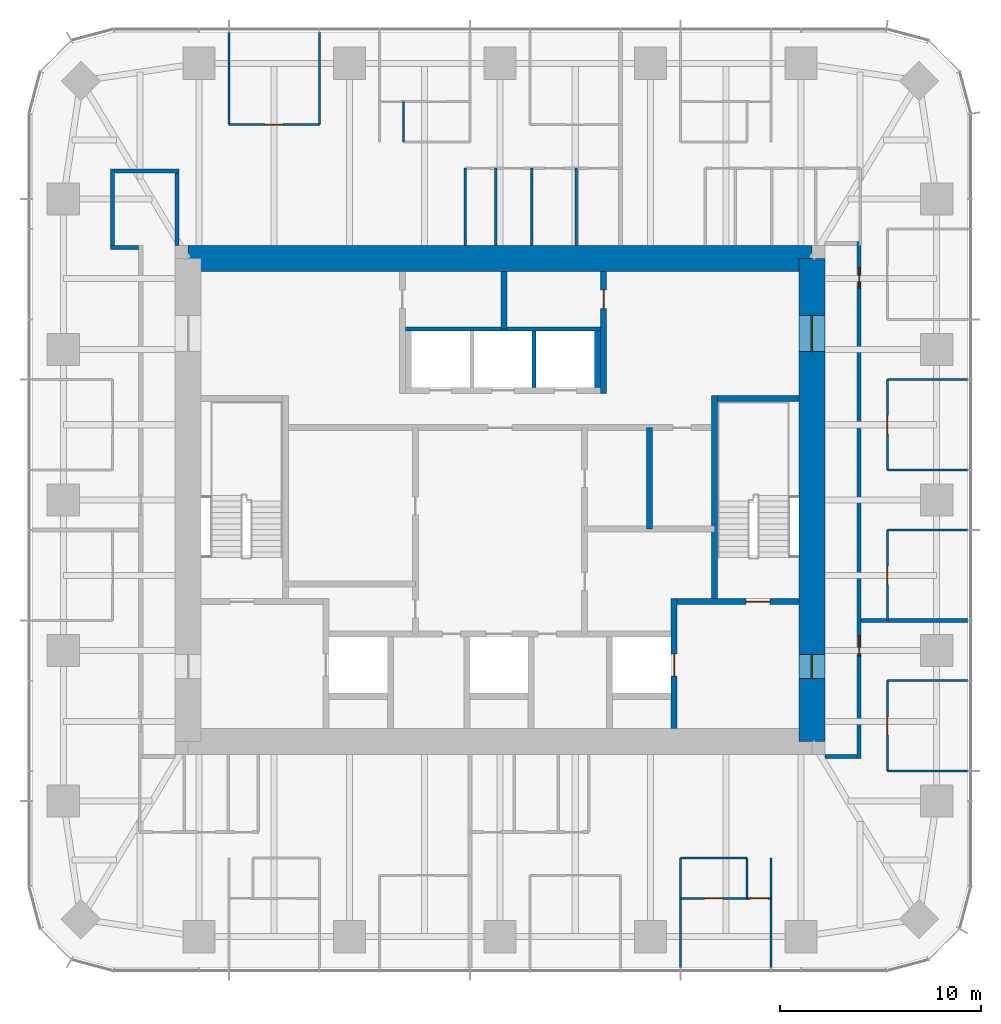
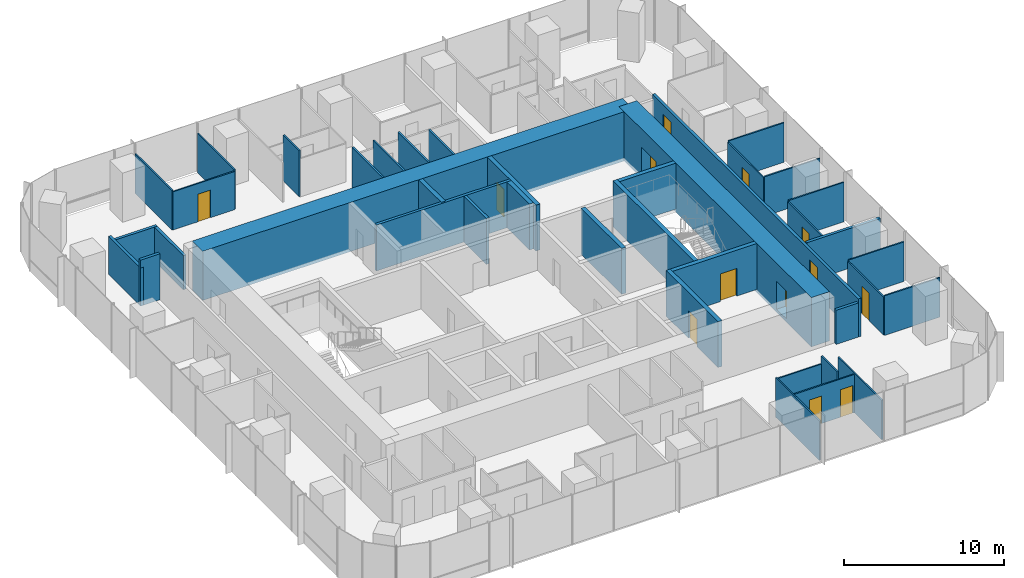
# One storey, part 10 of 12: 40 walls, 13 doors, 13 openings.
"""IFC4 building model written with IfcOpenShell, lengths in metres."""

from ifc_helpers import new_model, si_unit, direction, frame, frame_2d, origin, place, context, subcontext, project, spatial, rectangle, extrude, material, layer, layer_set, type_object, element, fill, save


model = new_model("IFC4")

# Units and contexts
model_context = context("Model", 3, precision=1e-05, world=origin(), true_north=direction((0.0, 1.0)))
body_context = subcontext(model_context, "Body", "Model", "MODEL_VIEW")
ifc_project = project(units=[si_unit("LENGTHUNIT", "METRE"), si_unit("AREAUNIT", "SQUARE_METRE"), si_unit("VOLUMEUNIT", "CUBIC_METRE"), si_unit("PLANEANGLEUNIT", "RADIAN"), si_unit("MASSUNIT", "GRAM", prefix="KILO")], contexts=[model_context])

# Site, building, storey
site_placement = place(None, origin())
site = spatial("IfcSite", under=ifc_project, at=site_placement, CompositionType="ELEMENT")
building_placement = place(site_placement, origin())
building = spatial("IfcBuilding", under=site, at=building_placement, Name="Khuree Lantern Residences", CompositionType="ELEMENT")
storey_placement = place(building_placement, frame((0.0, 0.0, 327.0)))
storey = spatial("IfcBuildingStorey", under=building, at=storey_placement, Name="L82", CompositionType="ELEMENT", Elevation=327.0)

# Walls
ifc_material_1 = material(Name="Moisture-resistant gypsum board on steel studs", Category="steel")
ifc_layer_1 = layer(ifc_material_1, 0.125)
ifc_layer_set_1 = layer_set([ifc_layer_1], Name="BATHROOM WALL BTW125")
wall_type_1 = type_object("IfcWallType", Name="BATHROOM WALL BTW125", PredefinedType="PARTITIONING", material=ifc_layer_set_1)
wall_1_placement = place(storey_placement, frame((3.783935546875, 12.64990234375, 0.0), z_axis=(0.0, 0.0, 1.0), x_axis=(0.0, 1.0, 0.0)))
element("IfcWall", 1, at=wall_1_placement, inside=storey, type_object=wall_type_1, Name="L82 BATHROOM WALL 02", PredefinedType="PARTITIONING", context=body_context, shape_type="SweptSolid", body=[
    extrude(rectangle(XDim=3.846435546875, YDim=0.125, at=frame_2d((1.92333984375, 0.0))), origin(), (0.0, 0.0, 1.0), 2.909912109375),
])
for number, where, z_axis, x_axis, name in (
    (2, (1.583984375, 12.64990234375, 0.0), (0.0, 0.0, 1.0), (0.0, 1.0, 0.0), "L82 BATHROOM WALL 02"),
    (3, (-0.216064453125, 12.64990234375, 0.0), (0.0, 0.0, 1.0), (0.0, 1.0, 0.0), "L82 BATHROOM WALL 02"),
    (4, (-1.716064453125, 12.64990234375, 0.0), (0.0, 0.0, 1.0), (0.0, 1.0, 0.0), "L82 BATHROOM WALL 02"),
):
    element("IfcWall", number, at=place(storey_placement, frame(where, z_axis=z_axis, x_axis=x_axis)), inside=storey, type_object=wall_type_1, Name=name, PredefinedType="PARTITIONING", context=body_context, shape_type="SweptSolid", body=[
        extrude(rectangle(XDim=3.846435546875, YDim=0.125, at=frame_2d((1.92333984375, 0.0))), origin(), (0.0, 0.0, 1.0), 3.5),
    ])

# Wall, opening, door
ifc_material_2 = material(Name="Dense concrete blockwork", Category="masonry")
ifc_layer_2 = layer(ifc_material_2, 0.300048828125)
ifc_layer_set_2 = layer_set([ifc_layer_2], Name="CORE PARTITION WALL CPW300 EI 120")
wall_type_2 = type_object("IfcWallType", Name="CORE PARTITION WALL CPW300 EI 120", PredefinedType="PARTITIONING", material=ifc_layer_set_2)
wall_2_placement = place(storey_placement, frame((8.64990234375, -11.35009765625, 0.0), z_axis=(0.0, 0.0, 1.0), x_axis=(0.0, 1.0, 0.0)))
wall_2 = element("IfcWall", 5, at=wall_2_placement, inside=storey, type_object=wall_type_2, Name="L82 CORE WALL FL2E", PredefinedType="PARTITIONING", context=body_context, shape_type="SweptSolid", body=[
    extrude(rectangle(XDim=6.4501953125, YDim=0.300048828125, at=frame_2d((3.22509765625, 0.0))), origin(), (0.0, 0.0, 1.0), 3.5),
])
opening_1_placement = place(wall_2_placement, frame((2.60009765625, 0.0, 0.0)))
opening_1 = element("IfcOpeningElement", 6, at=opening_1_placement, cuts=wall_2, Name="Opening 82-008", PredefinedType="OPENING", context=body_context, shape_type="SweptSolid", body=[
    extrude(rectangle(XDim=1.10009765625, YDim=2.10009765625, at=frame_2d((0.550048828125, 1.050048828125))), frame((0.0, 0.16015625, 0.0), z_axis=(0.0, -1.0, 0.0), x_axis=(1.0, 0.0, 0.0)), (0.0, 0.0, 1.0), 0.320068359375),
])
ifc_material_3 = material(Name="Stainless steel lift landing door", Category="steel")
door_type_1 = type_object("IfcDoorType", Name="LIFT LANDING DOOR 1100X2100 E 120", OperationType="DOUBLE_DOOR_SLIDING", PredefinedType="DOOR", material=ifc_material_3)
door_1_placement = place(opening_1_placement, origin())
door_1 = element("IfcDoor", 7, at=door_1_placement, inside=storey, type_object=door_type_1, Name="Landing door FL2 82-008", OperationType="DOUBLE_DOOR_SLIDING", OverallHeight=2.10009765625, OverallWidth=1.10009765625, PredefinedType="DOOR", context=body_context, shape_type="SweptSolid", body=[
    extrude(rectangle(XDim=1.10009765625, YDim=2.10009765625, at=frame_2d((0.550048828125, 1.050048828125))), frame((0.0, 0.02490234375, 0.0), z_axis=(0.0, -1.0, 0.0), x_axis=(1.0, 0.0, 0.0)), (0.0, 0.0, 1.0), 0.050048828125),
])
fill(opening_1, door_1)

# Walls
wall_3_placement = place(storey_placement, frame((4.85009765625, 5.60009765625, 0.0), z_axis=(0.0, 0.0, 1.0), x_axis=(0.0, 1.0, 0.0)))
element("IfcWall", 8, at=wall_3_placement, inside=storey, type_object=wall_type_2, Name="L82 CORE WALL PHE", PredefinedType="PARTITIONING", context=body_context, shape_type="SweptSolid", body=[
    extrude(rectangle(XDim=2.7998046875, YDim=0.300048828125, at=frame_2d((1.39990234375, 0.0))), origin(), (0.0, 0.0, 1.0), 3.5),
])
wall_4_placement = place(storey_placement, frame((7.425048828125, -1.449951171875, 0.0), z_axis=(0.0, 0.0, 1.0), x_axis=(0.0, 1.0, 0.0)))
element("IfcWall", 9, at=wall_4_placement, inside=storey, type_object=wall_type_2, Name="L82 CORE WALL EV", PredefinedType="PARTITIONING", context=body_context, shape_type="SweptSolid", body=[
    extrude(rectangle(XDim=5.050048828125, YDim=0.300048828125, at=frame_2d((2.52490234375, 0.0))), origin(), (0.0, 0.0, 1.0), 3.5),
])

# Wall, opening, door
wall_5_placement = place(storey_placement, frame((5.14990234375, 5.300048828125, 0.0), z_axis=(0.0, 0.0, 1.0), x_axis=(0.0, 1.0, 0.0)))
wall_5 = element("IfcWall", 10, at=wall_5_placement, inside=storey, type_object=wall_type_2, Name="L82 CORE WALL NE", PredefinedType="PARTITIONING", context=body_context, shape_type="SweptSolid", body=[
    extrude(rectangle(XDim=6.050048828125, YDim=0.300048828125, at=frame_2d((3.02490234375, 0.0))), origin(), (0.0, 0.0, 1.0), 3.5),
])
opening_2_placement = place(wall_5_placement, frame((4.22509765625, 0.0, 0.0)))
opening_2 = element("IfcOpeningElement", 11, at=opening_2_placement, cuts=wall_5, Name="Opening 82-022", PredefinedType="OPENING", context=body_context, shape_type="SweptSolid", body=[
    extrude(rectangle(XDim=0.89990234375, YDim=2.10009765625, at=frame_2d((0.449951171875, 1.050048828125))), frame((0.0, 0.16015625, 0.0), z_axis=(0.0, -1.0, 0.0), x_axis=(1.0, 0.0, 0.0)), (0.0, 0.0, 1.0), 0.320068359375),
])
ifc_material_4 = material(Name="Timber door leaf in hardwood frame", Category="wood")
door_type_2 = type_object("IfcDoorType", Name="DOOR 900X2100", OperationType="SINGLE_SWING_LEFT", PredefinedType="DOOR", material=ifc_material_4)
door_2_placement = place(opening_2_placement, origin())
door_2 = element("IfcDoor", 12, at=door_2_placement, inside=storey, type_object=door_type_2, Name="Building management room door 82-022", OperationType="SINGLE_SWING_LEFT", OverallHeight=2.10009765625, OverallWidth=0.89990234375, PredefinedType="DOOR", context=body_context, shape_type="SweptSolid", body=[
    extrude(rectangle(XDim=0.89990234375, YDim=2.10009765625, at=frame_2d((0.449951171875, 1.050048828125))), frame((0.0, 0.02490234375, 0.0), z_axis=(0.0, -1.0, 0.0), x_axis=(1.0, 0.0, 0.0)), (0.0, 0.0, 1.0), 0.050048828125),
])
fill(opening_2, door_2)

# Walls
wall_6_placement = place(storey_placement, frame((0.199951171875, 8.5, 0.0), z_axis=(0.0, 0.0, 1.0), x_axis=(0.0, 1.0, 0.0)))
element("IfcWall", 13, at=wall_6_placement, inside=storey, type_object=wall_type_2, Name="L82 CORE WALL NX", PredefinedType="PARTITIONING", context=body_context, shape_type="SweptSolid", body=[
    extrude(rectangle(XDim=2.85009765625, YDim=0.300048828125, at=frame_2d((1.425048828125, 0.0))), origin(), (0.0, 0.0, 1.0), 3.5),
])
ifc_material_5 = material(Name="Gypsum board on steel studs", Category="steel")
ifc_layer_3 = layer(ifc_material_5, 0.199951171875)
ifc_layer_set_3 = layer_set([ifc_layer_3], Name="CORRIDOR WALL CRW200 EI 60")
wall_type_3 = type_object("IfcWallType", Name="CORRIDOR WALL CRW200 EI 60", PredefinedType="PARTITIONING", material=ifc_layer_set_3)
wall_7_placement = place(storey_placement, frame((-17.949951171875, 12.550048828125, 0.0), z_axis=(0.0, 0.0, 1.0), x_axis=(-1.0, 0.0, 0.0)))
element("IfcWall", 14, at=wall_7_placement, inside=storey, type_object=wall_type_3, Name="L82 RESIDENTS LOUNGE WALL", PredefinedType="PARTITIONING", context=body_context, shape_type="SweptSolid", body=[
    extrude(rectangle(XDim=1.400146484375, YDim=0.199951171875, at=frame_2d((0.7001953125, 0.0))), origin(), (0.0, 0.0, 1.0), 3.5),
])
wall_8_placement = place(storey_placement, frame((-19.25, 12.449951171875, 0.0), z_axis=(0.0, 0.0, 1.0), x_axis=(0.0, 1.0, 0.0)))
element("IfcWall", 15, at=wall_8_placement, inside=storey, type_object=wall_type_3, Name="L82 RESIDENTS LOUNGE WALL", PredefinedType="PARTITIONING", context=body_context, shape_type="SweptSolid", body=[
    extrude(rectangle(XDim=4.0, YDim=0.199951171875, at=frame_2d((2.0, 0.0))), origin(), (0.0, 0.0, 1.0), 2.89990234375),
])
wall_9_placement = place(storey_placement, frame((-19.14990234375, 16.35009765625, 0.0), z_axis=(0.0, 0.0, 1.0), x_axis=(1.0, 0.0, 0.0)))
element("IfcWall", 16, at=wall_9_placement, inside=storey, type_object=wall_type_3, Name="L82 RESIDENTS LOUNGE WALL", PredefinedType="PARTITIONING", context=body_context, shape_type="SweptSolid", body=[
    extrude(rectangle(XDim=3.199951171875, YDim=0.199951171875, at=frame_2d((1.60009765625, 0.0))), origin(), (0.0, 0.0, 1.0), 2.60009765625),
])
wall_10_placement = place(storey_placement, frame((-16.050048828125, 16.449951171875, 0.0), z_axis=(0.0, 0.0, 1.0), x_axis=(0.0, -1.0, 0.0)))
element("IfcWall", 17, at=wall_10_placement, inside=storey, type_object=wall_type_3, Name="L82 RESIDENTS LOUNGE WALL", PredefinedType="PARTITIONING", context=body_context, shape_type="SweptSolid", body=[
    extrude(rectangle(XDim=3.800048828125, YDim=0.199951171875, at=frame_2d((1.89990234375, 0.0))), origin(), (0.0, 0.0, 1.0), 2.60009765625),
])
wall_11_placement = place(storey_placement, frame((16.14990234375, -12.75, 0.0), z_axis=(0.0, 0.0, 1.0), x_axis=(1.0, 0.0, 0.0)))
element("IfcWall", 18, at=wall_11_placement, inside=storey, type_object=wall_type_3, Name="L82 EAST CORRIDOR SOUTH END WALL", PredefinedType="PARTITIONING", context=body_context, shape_type="SweptSolid", body=[
    extrude(rectangle(XDim=1.60009765625, YDim=0.199951171875, at=frame_2d((0.800048828125, 0.0))), origin(), (0.0, 0.0, 1.0), 2.60009765625),
])

# Wall, openings, doors
wall_12_placement = place(storey_placement, frame((17.85009765625, -12.85009765625, 0.0), z_axis=(0.0, 0.0, 1.0), x_axis=(0.0, 1.0, 0.0)))
wall_12 = element("IfcWall", 19, at=wall_12_placement, inside=storey, type_object=wall_type_3, Name="L82 CORRIDOR WALL EAST 1", PredefinedType="PARTITIONING", context=body_context, shape_type="SweptSolid", body=[
    extrude(rectangle(XDim=25.7001953125, YDim=0.199951171875, at=frame_2d((12.85009765625, 0.0))), origin(), (0.0, 0.0, 1.0), 2.89990234375),
])
opening_3_placement = place(wall_12_placement, frame((23.385986328125, 0.0, 0.0)))
opening_3 = element("IfcOpeningElement", 20, at=opening_3_placement, cuts=wall_12, Name="Opening 82-032", PredefinedType="OPENING", context=body_context, shape_type="SweptSolid", body=[
    extrude(rectangle(XDim=1.0, YDim=2.199951171875, at=frame_2d((0.5, 1.10009765625))), frame((0.0, 0.10986328125, 0.0), z_axis=(0.0, -1.0, 0.0), x_axis=(1.0, 0.0, 0.0)), (0.0, 0.0, 1.0), 0.219970703125),
])
opening_4_placement = place(wall_12_placement, frame((5.10009765625, 0.0, 0.0)))
opening_4 = element("IfcOpeningElement", 21, at=opening_4_placement, cuts=wall_12, Name="Opening 82-058", PredefinedType="OPENING", context=body_context, shape_type="SweptSolid", body=[
    extrude(rectangle(XDim=1.0, YDim=2.199951171875, at=frame_2d((0.5, 1.10009765625))), frame((0.0, 0.10986328125, 0.0), z_axis=(0.0, -1.0, 0.0), x_axis=(1.0, 0.0, 0.0)), (0.0, 0.0, 1.0), 0.219970703125),
])
door_type_3 = type_object("IfcDoorType", Name="APARTMENT ENTRANCE DOOR 1000X2200 EI 30S", OperationType="SINGLE_SWING_LEFT", PredefinedType="DOOR", material=ifc_material_4)
door_3_placement = place(opening_4_placement, origin())
door_3 = element("IfcDoor", 22, at=door_3_placement, inside=storey, type_object=door_type_3, Name="Apartment 04 entrance door 82-058", OperationType="SINGLE_SWING_LEFT", OverallHeight=2.199951171875, OverallWidth=1.0, PredefinedType="DOOR", context=body_context, shape_type="SweptSolid", body=[
    extrude(rectangle(XDim=1.0, YDim=2.199951171875, at=frame_2d((0.5, 1.10009765625))), frame((0.0, 0.02490234375, 0.0), z_axis=(0.0, -1.0, 0.0), x_axis=(1.0, 0.0, 0.0)), (0.0, 0.0, 1.0), 0.050048828125),
])
fill(opening_4, door_3)
door_type_4 = type_object("IfcDoorType", Name="APARTMENT ENTRANCE DOOR 1000X2200 EI 30S RIGHT HAND", OperationType="SINGLE_SWING_RIGHT", PredefinedType="DOOR", material=ifc_material_4)
door_4_placement = place(opening_3_placement, origin())
door_4 = element("IfcDoor", 23, at=door_4_placement, inside=storey, type_object=door_type_4, Name="Apartment 01 entrance door 82-032", OperationType="SINGLE_SWING_RIGHT", OverallHeight=2.199951171875, OverallWidth=1.0, PredefinedType="DOOR", context=body_context, shape_type="SweptSolid", body=[
    extrude(rectangle(XDim=1.0, YDim=2.199951171875, at=frame_2d((0.5, 1.10009765625))), frame((0.0, 0.02490234375, 0.0), z_axis=(0.0, -1.0, 0.0), x_axis=(1.0, 0.0, 0.0)), (0.0, 0.0, 1.0), 0.050048828125),
])
fill(opening_3, door_4)

ifc_material_6 = material(Name="Concrete C50/60", Category="concrete")
ifc_layer_4 = layer(ifc_material_6, 1.300048828125)
ifc_layer_set_4 = layer_set([ifc_layer_4], Name="CW1300-C50 CORE WALL C50 1300")
wall_type_4 = type_object("IfcWallType", Name="CW1300-C50 CORE WALL C50 1300", PredefinedType="SHEAR", material=ifc_layer_set_4)
wall_13_placement = place(storey_placement, frame((15.5, -12.0, -0.25), z_axis=(0.0, 0.0, 1.0), x_axis=(0.0, 1.0, 0.0)))
wall_13 = element("IfcWall", 24, at=wall_13_placement, inside=storey, type_object=wall_type_4, Name="Core wall E", PredefinedType="SHEAR", context=body_context, shape_type="SweptSolid", body=[
    extrude(rectangle(XDim=24.0, YDim=1.300048828125, at=frame_2d((12.0, 0.0))), origin(), (0.0, 0.0, 1.0), 3.75),
])
opening_5_placement = place(wall_13_placement, frame((3.125, 0.0, 0.25)))
opening_5 = element("IfcOpeningElement", 25, at=opening_5_placement, cuts=wall_13, Name="Opening 82-005", PredefinedType="OPENING", context=body_context, shape_type="SweptSolid", body=[
    extrude(rectangle(XDim=1.199951171875, YDim=2.10009765625, at=frame_2d((0.60009765625, 1.050048828125))), frame((0.0, 0.66015625, 0.0), z_axis=(0.0, -1.0, 0.0), x_axis=(1.0, 0.0, 0.0)), (0.0, 0.0, 1.0), 1.320068359375),
])
opening_6_placement = place(wall_13_placement, frame((19.375, 0.0, 0.25)))
opening_6 = element("IfcOpeningElement", 26, at=opening_6_placement, cuts=wall_13, Name="Opening 82-006", PredefinedType="OPENING", context=body_context, shape_type="SweptSolid", body=[
    extrude(rectangle(XDim=1.800048828125, YDim=2.10009765625, at=frame_2d((0.89990234375, 1.050048828125))), frame((0.0, 0.66015625, 0.0), z_axis=(0.0, -1.0, 0.0), x_axis=(1.0, 0.0, 0.0)), (0.0, 0.0, 1.0), 1.320068359375),
])
ifc_material_7 = material(Name="Steel door leaf in steel frame", Category="steel")
door_type_5 = type_object("IfcDoorType", Name="LOBBY DOOR 1200X2100 EI 120", OperationType="SINGLE_SWING_LEFT", PredefinedType="DOOR", material=ifc_material_7)
door_5_placement = place(opening_5_placement, origin())
door_5 = element("IfcDoor", 27, at=door_5_placement, inside=storey, type_object=door_type_5, Name="Firefighting lobby door 82-005", OperationType="SINGLE_SWING_LEFT", OverallHeight=2.10009765625, OverallWidth=1.199951171875, PredefinedType="DOOR", context=body_context, shape_type="SweptSolid", body=[
    extrude(rectangle(XDim=1.199951171875, YDim=2.10009765625, at=frame_2d((0.60009765625, 1.050048828125))), frame((0.0, 0.02490234375, 0.0), z_axis=(0.0, -1.0, 0.0), x_axis=(1.0, 0.0, 0.0)), (0.0, 0.0, 1.0), 0.050048828125),
])
fill(opening_5, door_5)
door_type_6 = type_object("IfcDoorType", Name="LOBBY DOUBLE DOOR 1800X2100 EI 60", OperationType="DOUBLE_DOOR_SINGLE_SWING", PredefinedType="DOOR", material=ifc_material_7)
door_6_placement = place(opening_6_placement, origin())
door_6 = element("IfcDoor", 28, at=door_6_placement, inside=storey, type_object=door_type_6, Name="Lift lobby door 82-006", OperationType="DOUBLE_DOOR_SINGLE_SWING", OverallHeight=2.10009765625, OverallWidth=1.800048828125, PredefinedType="DOOR", context=body_context, shape_type="SweptSolid", body=[
    extrude(rectangle(XDim=1.800048828125, YDim=2.10009765625, at=frame_2d((0.89990234375, 1.050048828125))), frame((0.0, 0.02490234375, 0.0), z_axis=(0.0, -1.0, 0.0), x_axis=(1.0, 0.0, 0.0)), (0.0, 0.0, 1.0), 0.050048828125),
])
fill(opening_6, door_6)

# Walls
wall_14_placement = place(storey_placement, frame((-15.5, 12.0, -0.25), z_axis=(0.0, 0.0, 1.0), x_axis=(1.0, 0.0, 0.0)))
element("IfcWall", 29, at=wall_14_placement, inside=storey, type_object=wall_type_4, Name="Core wall N", PredefinedType="SHEAR", context=body_context, shape_type="SweptSolid", body=[
    extrude(rectangle(XDim=31.0, YDim=1.300048828125, at=frame_2d((15.5, 0.0))), origin(), (0.0, 0.0, 1.0), 3.75),
])
ifc_layer_5 = layer(ifc_material_5, 0.199951171875)
ifc_layer_set_5 = layer_set([ifc_layer_5], Name="DEMISING WALL DMW200 EI 90")
wall_type_5 = type_object("IfcWallType", Name="DEMISING WALL DMW200 EI 90", PredefinedType="PARTITIONING", material=ifc_layer_set_5)
wall_15_placement = place(storey_placement, frame((17.949951171875, -5.98388671875, 0.0), z_axis=(0.0, 0.0, 1.0), x_axis=(1.0, 0.0, 0.0)))
element("IfcWall", 30, at=wall_15_placement, inside=storey, type_object=wall_type_5, Name="L82 DEMISING WALL 01", PredefinedType="PARTITIONING", context=body_context, shape_type="SweptSolid", body=[
    extrude(rectangle(XDim=5.300048828125, YDim=0.199951171875, at=frame_2d((2.64990234375, 0.0))), origin(), (0.0, 0.0, 1.0), 3.010009765625),
])
ifc_layer_6 = layer(ifc_material_5, 0.10009765625)
ifc_layer_set_6 = layer_set([ifc_layer_6], Name="PARTITION PT100")
wall_type_6 = type_object("IfcWallType", Name="PARTITION PT100", PredefinedType="PARTITIONING", material=ifc_layer_set_6)
for number, where, z_axis, x_axis, name in (
    (31, (19.25, -1.49609375, 0.0), (0.0, 0.0, 1.0), (1.0, 0.0, 0.0), "L82 PARTITION 01"),
    (32, (19.25, 1.49609375, 0.0), (0.0, 0.0, 1.0), (1.0, 0.0, 0.0), "L82 PARTITION 01"),
    (33, (19.25, 5.98388671875, 0.0), (0.0, 0.0, 1.0), (1.0, 0.0, 0.0), "L82 PARTITION 01"),
):
    element("IfcWall", number, at=place(storey_placement, frame(where, z_axis=z_axis, x_axis=x_axis)), inside=storey, type_object=wall_type_6, Name=name, PredefinedType="PARTITIONING", context=body_context, shape_type="SweptSolid", body=[
        extrude(rectangle(XDim=4.0, YDim=0.10009765625, at=frame_2d((2.0, 0.0))), origin(), (0.0, 0.0, 1.0), 3.010009765625),
    ])
for number, where, z_axis, x_axis, name in (
    (34, (-8.97607421875, 18.64990234375, 0.0), (0.0, 0.0, 1.0), (0.0, 1.0, 0.0), "L82 PARTITION 02"),
    (35, (-13.464111328125, 18.64990234375, 0.0), (0.0, 0.0, 1.0), (0.0, 1.0, 0.0), "L82 PARTITION 02"),
):
    element("IfcWall", number, at=place(storey_placement, frame(where, z_axis=z_axis, x_axis=x_axis)), inside=storey, type_object=wall_type_6, Name=name, PredefinedType="PARTITIONING", context=body_context, shape_type="SweptSolid", body=[
        extrude(rectangle(XDim=4.60009765625, YDim=0.10009765625, at=frame_2d((2.300048828125, 0.0))), origin(), (0.0, 0.0, 1.0), 3.010009765625),
    ])
for number, where, z_axis, x_axis, name in (
    (36, (8.97607421875, -17.79638671875, 0.0), (0.0, 0.0, 1.0), (0.0, -1.0, 0.0), "L82 PARTITION 04"),
    (37, (13.464111328125, -17.79638671875, 0.0), (0.0, 0.0, 1.0), (0.0, -1.0, 0.0), "L82 PARTITION 04"),
):
    element("IfcWall", number, at=place(storey_placement, frame(where, z_axis=z_axis, x_axis=x_axis)), inside=storey, type_object=wall_type_6, Name=name, PredefinedType="PARTITIONING", context=body_context, shape_type="SweptSolid", body=[
        extrude(rectangle(XDim=5.45361328125, YDim=0.10009765625, at=frame_2d((2.726806640625, 0.0))), origin(), (0.0, 0.0, 1.0), 3.010009765625),
    ])
for number, where, z_axis, x_axis, name in (
    (38, (19.25, -13.464111328125, 0.0), (0.0, 0.0, 1.0), (1.0, 0.0, 0.0), "L82 PARTITION 04"),
    (39, (19.25, -8.97607421875, 0.0), (0.0, 0.0, 1.0), (1.0, 0.0, 0.0), "L82 PARTITION 04"),
):
    element("IfcWall", number, at=place(storey_placement, frame(where, z_axis=z_axis, x_axis=x_axis)), inside=storey, type_object=wall_type_6, Name=name, PredefinedType="PARTITIONING", context=body_context, shape_type="SweptSolid", body=[
        extrude(rectangle(XDim=4.0, YDim=0.10009765625, at=frame_2d((2.0, 0.0))), origin(), (0.0, 0.0, 1.0), 3.010009765625),
    ])

# Wall, opening, door
wall_16_placement = place(storey_placement, frame((19.25, -5.98388671875, 0.0), z_axis=(0.0, 0.0, 1.0), x_axis=(0.0, 1.0, 0.0)))
wall_16 = element("IfcWall", 40, at=wall_16_placement, inside=storey, type_object=wall_type_6, Name="L82 PARTITION 01", PredefinedType="PARTITIONING", context=body_context, shape_type="SweptSolid", body=[
    extrude(rectangle(XDim=4.48779296875, YDim=0.10009765625, at=frame_2d((2.243896484375, 0.0))), origin(), (0.0, 0.0, 1.0), 2.909912109375),
])
opening_7_placement = place(wall_16_placement, frame((1.7939453125, 0.0, 0.0)))
opening_7 = element("IfcOpeningElement", 41, at=opening_7_placement, cuts=wall_16, Name="Opening 82-023", PredefinedType="OPENING", context=body_context, shape_type="SweptSolid", body=[
    extrude(rectangle(XDim=0.89990234375, YDim=2.10009765625, at=frame_2d((0.449951171875, 1.050048828125))), frame((0.0, 0.06005859375, 0.0), z_axis=(0.0, -1.0, 0.0), x_axis=(1.0, 0.0, 0.0)), (0.0, 0.0, 1.0), 0.1201171875),
])
door_type_7 = type_object("IfcDoorType", Name="BEDROOM DOOR 900X2100", OperationType="SINGLE_SWING_LEFT", PredefinedType="DOOR", material=ifc_material_4)
door_7_placement = place(opening_7_placement, origin())
door_7 = element("IfcDoor", 42, at=door_7_placement, inside=storey, type_object=door_type_7, Name="Bedroom door 82-023", OperationType="SINGLE_SWING_LEFT", OverallHeight=2.10009765625, OverallWidth=0.89990234375, PredefinedType="DOOR", context=body_context, shape_type="SweptSolid", body=[
    extrude(rectangle(XDim=0.89990234375, YDim=2.10009765625, at=frame_2d((0.449951171875, 1.050048828125))), frame((0.0, 0.02490234375, 0.0), z_axis=(0.0, -1.0, 0.0), x_axis=(1.0, 0.0, 0.0)), (0.0, 0.0, 1.0), 0.050048828125),
])
fill(opening_7, door_7)

wall_17_placement = place(storey_placement, frame((19.25, 1.49609375, 0.0), z_axis=(0.0, 0.0, 1.0), x_axis=(0.0, 1.0, 0.0)))
wall_17 = element("IfcWall", 43, at=wall_17_placement, inside=storey, type_object=wall_type_6, Name="L82 PARTITION 01", PredefinedType="PARTITIONING", context=body_context, shape_type="SweptSolid", body=[
    extrude(rectangle(XDim=4.48779296875, YDim=0.10009765625, at=frame_2d((2.243896484375, 0.0))), origin(), (0.0, 0.0, 1.0), 2.909912109375),
])
opening_8_placement = place(wall_17_placement, frame((1.7939453125, 0.0, 0.0)))
opening_8 = element("IfcOpeningElement", 44, at=opening_8_placement, cuts=wall_17, Name="Opening 82-024", PredefinedType="OPENING", context=body_context, shape_type="SweptSolid", body=[
    extrude(rectangle(XDim=0.89990234375, YDim=2.10009765625, at=frame_2d((0.449951171875, 1.050048828125))), frame((0.0, 0.06005859375, 0.0), z_axis=(0.0, -1.0, 0.0), x_axis=(1.0, 0.0, 0.0)), (0.0, 0.0, 1.0), 0.1201171875),
])
door_8_placement = place(opening_8_placement, origin())
door_8 = element("IfcDoor", 45, at=door_8_placement, inside=storey, type_object=door_type_7, Name="Bedroom door 82-024", OperationType="SINGLE_SWING_LEFT", OverallHeight=2.10009765625, OverallWidth=0.89990234375, PredefinedType="DOOR", context=body_context, shape_type="SweptSolid", body=[
    extrude(rectangle(XDim=0.89990234375, YDim=2.10009765625, at=frame_2d((0.449951171875, 1.050048828125))), frame((0.0, 0.02490234375, 0.0), z_axis=(0.0, -1.0, 0.0), x_axis=(1.0, 0.0, 0.0)), (0.0, 0.0, 1.0), 0.050048828125),
])
fill(opening_8, door_8)

# Wall
wall_18_placement = place(storey_placement, frame((-4.783935546875, 17.79638671875, 0.0), z_axis=(0.0, 0.0, 1.0), x_axis=(0.0, 1.0, 0.0)))
element("IfcWall", 46, at=wall_18_placement, inside=storey, type_object=wall_type_6, Name="L82 PARTITION 02", PredefinedType="PARTITIONING", context=body_context, shape_type="SweptSolid", body=[
    extrude(rectangle(XDim=2.0, YDim=0.10009765625, at=frame_2d((1.0, 0.0))), origin(), (0.0, 0.0, 1.0), 3.5),
])

# Wall, opening, door
wall_19_placement = place(storey_placement, frame((-8.97607421875, 18.64990234375, 0.0), z_axis=(0.0, 0.0, 1.0), x_axis=(-1.0, 0.0, 0.0)))
wall_19 = element("IfcWall", 47, at=wall_19_placement, inside=storey, type_object=wall_type_6, Name="L82 PARTITION 02", PredefinedType="PARTITIONING", context=body_context, shape_type="SweptSolid", body=[
    extrude(rectangle(XDim=4.488037109375, YDim=0.10009765625, at=frame_2d((2.244140625, 0.0))), origin(), (0.0, 0.0, 1.0), 2.909912109375),
])
opening_9_placement = place(wall_19_placement, frame((1.7939453125, 0.0, 0.0)))
opening_9 = element("IfcOpeningElement", 48, at=opening_9_placement, cuts=wall_19, Name="Opening 82-036", PredefinedType="OPENING", context=body_context, shape_type="SweptSolid", body=[
    extrude(rectangle(XDim=0.89990234375, YDim=2.10009765625, at=frame_2d((0.449951171875, 1.050048828125))), frame((0.0, 0.06005859375, 0.0), z_axis=(0.0, -1.0, 0.0), x_axis=(1.0, 0.0, 0.0)), (0.0, 0.0, 1.0), 0.1201171875),
])
door_9_placement = place(opening_9_placement, origin())
door_9 = element("IfcDoor", 49, at=door_9_placement, inside=storey, type_object=door_type_7, Name="Bedroom door 82-036", OperationType="SINGLE_SWING_LEFT", OverallHeight=2.10009765625, OverallWidth=0.89990234375, PredefinedType="DOOR", context=body_context, shape_type="SweptSolid", body=[
    extrude(rectangle(XDim=0.89990234375, YDim=2.10009765625, at=frame_2d((0.449951171875, 1.050048828125))), frame((0.0, 0.02490234375, 0.0), z_axis=(0.0, -1.0, 0.0), x_axis=(1.0, 0.0, 0.0)), (0.0, 0.0, 1.0), 0.050048828125),
])
fill(opening_9, door_9)

# Wall, openings, doors
wall_20_placement = place(storey_placement, frame((8.97607421875, -19.79638671875, 0.0), z_axis=(0.0, 0.0, 1.0), x_axis=(1.0, 0.0, 0.0)))
wall_20 = element("IfcWall", 50, at=wall_20_placement, inside=storey, type_object=wall_type_6, Name="L82 PARTITION 04", PredefinedType="PARTITIONING", context=body_context, shape_type="SweptSolid", body=[
    extrude(rectangle(XDim=4.488037109375, YDim=0.10009765625, at=frame_2d((2.244140625, 0.0))), origin(), (0.0, 0.0, 1.0), 2.909912109375),
])
opening_10_placement = place(wall_20_placement, frame((3.43798828125, 0.0, 0.0)))
opening_10 = element("IfcOpeningElement", 51, at=opening_10_placement, cuts=wall_20, Name="Opening 82-052", PredefinedType="OPENING", context=body_context, shape_type="SweptSolid", body=[
    extrude(rectangle(XDim=0.89990234375, YDim=2.10009765625, at=frame_2d((0.449951171875, 1.050048828125))), frame((0.0, 0.06005859375, 0.0), z_axis=(0.0, -1.0, 0.0), x_axis=(1.0, 0.0, 0.0)), (0.0, 0.0, 1.0), 0.1201171875),
])
opening_11_placement = place(wall_20_placement, frame((1.194091796875, 0.0, 0.0)))
opening_11 = element("IfcOpeningElement", 52, at=opening_11_placement, cuts=wall_20, Name="Opening 82-053", PredefinedType="OPENING", context=body_context, shape_type="SweptSolid", body=[
    extrude(rectangle(XDim=0.89990234375, YDim=2.10009765625, at=frame_2d((0.449951171875, 1.050048828125))), frame((0.0, 0.06005859375, 0.0), z_axis=(0.0, -1.0, 0.0), x_axis=(1.0, 0.0, 0.0)), (0.0, 0.0, 1.0), 0.1201171875),
])
door_10_placement = place(opening_10_placement, origin())
door_10 = element("IfcDoor", 53, at=door_10_placement, inside=storey, type_object=door_type_7, Name="Bedroom door 82-052", OperationType="SINGLE_SWING_LEFT", OverallHeight=2.10009765625, OverallWidth=0.89990234375, PredefinedType="DOOR", context=body_context, shape_type="SweptSolid", body=[
    extrude(rectangle(XDim=0.89990234375, YDim=2.10009765625, at=frame_2d((0.449951171875, 1.050048828125))), frame((0.0, 0.02490234375, 0.0), z_axis=(0.0, -1.0, 0.0), x_axis=(1.0, 0.0, 0.0)), (0.0, 0.0, 1.0), 0.050048828125),
])
fill(opening_10, door_10)
door_11_placement = place(opening_11_placement, origin())
door_11 = element("IfcDoor", 54, at=door_11_placement, inside=storey, type_object=door_type_2, Name="Wardrobe door 82-053", OperationType="SINGLE_SWING_LEFT", OverallHeight=2.10009765625, OverallWidth=0.89990234375, PredefinedType="DOOR", context=body_context, shape_type="SweptSolid", body=[
    extrude(rectangle(XDim=0.89990234375, YDim=2.10009765625, at=frame_2d((0.449951171875, 1.050048828125))), frame((0.0, 0.02490234375, 0.0), z_axis=(0.0, -1.0, 0.0), x_axis=(1.0, 0.0, 0.0)), (0.0, 0.0, 1.0), 0.050048828125),
])
fill(opening_11, door_11)

# Walls
wall_21_placement = place(storey_placement, frame((12.263916015625, -17.79638671875, 0.0), z_axis=(0.0, 0.0, 1.0), x_axis=(0.0, -1.0, 0.0)))
element("IfcWall", 55, at=wall_21_placement, inside=storey, type_object=wall_type_6, Name="L82 PARTITION 04", PredefinedType="PARTITIONING", context=body_context, shape_type="SweptSolid", body=[
    extrude(rectangle(XDim=2.0, YDim=0.10009765625, at=frame_2d((1.0, 0.0))), origin(), (0.0, 0.0, 1.0), 3.5),
])
wall_22_placement = place(storey_placement, frame((8.97607421875, -17.79638671875, 0.0), z_axis=(0.0, 0.0, 1.0), x_axis=(1.0, 0.0, 0.0)))
element("IfcWall", 56, at=wall_22_placement, inside=storey, type_object=wall_type_6, Name="L82 PARTITION 04", PredefinedType="PARTITIONING", context=body_context, shape_type="SweptSolid", body=[
    extrude(rectangle(XDim=3.287841796875, YDim=0.10009765625, at=frame_2d((1.64404296875, 0.0))), origin(), (0.0, 0.0, 1.0), 2.909912109375),
])

# Wall, opening, door
wall_23_placement = place(storey_placement, frame((19.25, -13.464111328125, 0.0), z_axis=(0.0, 0.0, 1.0), x_axis=(0.0, 1.0, 0.0)))
wall_23 = element("IfcWall", 57, at=wall_23_placement, inside=storey, type_object=wall_type_6, Name="L82 PARTITION 04", PredefinedType="PARTITIONING", context=body_context, shape_type="SweptSolid", body=[
    extrude(rectangle(XDim=4.488037109375, YDim=0.10009765625, at=frame_2d((2.244140625, 0.0))), origin(), (0.0, 0.0, 1.0), 2.909912109375),
])
opening_12_placement = place(wall_23_placement, frame((1.7939453125, 0.0, 0.0)))
opening_12 = element("IfcOpeningElement", 58, at=opening_12_placement, cuts=wall_23, Name="Opening 82-054", PredefinedType="OPENING", context=body_context, shape_type="SweptSolid", body=[
    extrude(rectangle(XDim=0.89990234375, YDim=2.10009765625, at=frame_2d((0.449951171875, 1.050048828125))), frame((0.0, 0.06005859375, 0.0), z_axis=(0.0, -1.0, 0.0), x_axis=(1.0, 0.0, 0.0)), (0.0, 0.0, 1.0), 0.1201171875),
])
door_12_placement = place(opening_12_placement, origin())
door_12 = element("IfcDoor", 59, at=door_12_placement, inside=storey, type_object=door_type_7, Name="Bedroom door 82-054", OperationType="SINGLE_SWING_LEFT", OverallHeight=2.10009765625, OverallWidth=0.89990234375, PredefinedType="DOOR", context=body_context, shape_type="SweptSolid", body=[
    extrude(rectangle(XDim=0.89990234375, YDim=2.10009765625, at=frame_2d((0.449951171875, 1.050048828125))), frame((0.0, 0.02490234375, 0.0), z_axis=(0.0, -1.0, 0.0), x_axis=(1.0, 0.0, 0.0)), (0.0, 0.0, 1.0), 0.050048828125),
])
fill(opening_12, door_12)

# Walls
ifc_layer_7 = layer(ifc_material_2, 0.199951171875)
ifc_layer_set_7 = layer_set([ifc_layer_7], Name="SHAFT WALL SHW200 EI 120")
wall_type_7 = type_object("IfcWallType", Name="SHAFT WALL SHW200 EI 120", PredefinedType="PARTITIONING", material=ifc_layer_set_7)
wall_24_placement = place(storey_placement, frame((-4.699951171875, 8.5, 0.0), z_axis=(0.0, 0.0, 1.0), x_axis=(1.0, 0.0, 0.0)))
element("IfcWall", 60, at=wall_24_placement, inside=storey, type_object=wall_type_7, Name="L82 CORE WALL PHN", PredefinedType="PARTITIONING", context=body_context, shape_type="SweptSolid", body=[
    extrude(rectangle(XDim=9.699951171875, YDim=0.199951171875, at=frame_2d((4.85009765625, 0.0))), origin(), (0.0, 0.0, 1.0), 3.5),
])
wall_25_placement = place(storey_placement, frame((1.699951171875, 5.60009765625, 0.0), z_axis=(0.0, 0.0, 1.0), x_axis=(0.0, 1.0, 0.0)))
element("IfcWall", 61, at=wall_25_placement, inside=storey, type_object=wall_type_7, Name="L82 CORE WALL PHD2", PredefinedType="PARTITIONING", context=body_context, shape_type="SweptSolid", body=[
    extrude(rectangle(XDim=2.7998046875, YDim=0.199951171875, at=frame_2d((1.39990234375, 0.0))), origin(), (0.0, 0.0, 1.0), 3.5),
])
ifc_layer_8 = layer(ifc_material_6, 0.300048828125)
ifc_layer_set_8 = layer_set([ifc_layer_8], Name="STAIR WALL SRW300 C50/60 REI 240")
wall_type_8 = type_object("IfcWallType", Name="STAIR WALL SRW300 C50/60 REI 240", PredefinedType="SOLIDWALL", material=ifc_layer_set_8)
wall_26_placement = place(storey_placement, frame((10.64990234375, -4.89990234375, 0.0), z_axis=(0.0, 0.0, 1.0), x_axis=(0.0, 1.0, 0.0)))
element("IfcWall", 62, at=wall_26_placement, inside=storey, type_object=wall_type_8, Name="L82 STAIR WALL ST2E", PredefinedType="SOLIDWALL", context=body_context, shape_type="SweptSolid", body=[
    extrude(rectangle(XDim=10.099853515625, YDim=0.300048828125, at=frame_2d((5.0498046875, 0.0))), origin(), (0.0, 0.0, 1.0), 3.5),
])

# Wall, opening, door
wall_27_placement = place(storey_placement, frame((14.85009765625, -5.050048828125, 0.0), z_axis=(0.0, 0.0, 1.0), x_axis=(-1.0, 0.0, 0.0)))
wall_27 = element("IfcWall", 63, at=wall_27_placement, inside=storey, type_object=wall_type_8, Name="L82 STAIR WALL ST2S", PredefinedType="SOLIDWALL", context=body_context, shape_type="SweptSolid", body=[
    extrude(rectangle(XDim=6.050048828125, YDim=0.300048828125, at=frame_2d((3.02490234375, 0.0))), origin(), (0.0, 0.0, 1.0), 3.5),
])
opening_13_placement = place(wall_27_placement, frame((1.425048828125, 0.0, 0.0)))
opening_13 = element("IfcOpeningElement", 64, at=opening_13_placement, cuts=wall_27, Name="Opening 82-004", PredefinedType="OPENING", context=body_context, shape_type="SweptSolid", body=[
    extrude(rectangle(XDim=1.199951171875, YDim=2.10009765625, at=frame_2d((0.60009765625, 1.050048828125))), frame((0.0, 0.16015625, 0.0), z_axis=(0.0, -1.0, 0.0), x_axis=(1.0, 0.0, 0.0)), (0.0, 0.0, 1.0), 0.320068359375),
])
door_type_8 = type_object("IfcDoorType", Name="STAIR DOOR 1200X2100 EI 120", OperationType="SINGLE_SWING_LEFT", PredefinedType="DOOR", material=ifc_material_7)
door_13_placement = place(opening_13_placement, origin())
door_13 = element("IfcDoor", 65, at=door_13_placement, inside=storey, type_object=door_type_8, Name="Stair ST2 door 82-004", OperationType="SINGLE_SWING_LEFT", OverallHeight=2.10009765625, OverallWidth=1.199951171875, PredefinedType="DOOR", context=body_context, shape_type="SweptSolid", body=[
    extrude(rectangle(XDim=1.199951171875, YDim=2.10009765625, at=frame_2d((0.60009765625, 1.050048828125))), frame((0.0, 0.02490234375, 0.0), z_axis=(0.0, -1.0, 0.0), x_axis=(1.0, 0.0, 0.0)), (0.0, 0.0, 1.0), 0.050048828125),
])
fill(opening_13, door_13)

# Wall
wall_28_placement = place(storey_placement, frame((14.85009765625, 5.050048828125, 0.0), z_axis=(0.0, 0.0, 1.0), x_axis=(-1.0, 0.0, 0.0)))
element("IfcWall", 66, at=wall_28_placement, inside=storey, type_object=wall_type_8, Name="L82 STAIR WALL ST2N", PredefinedType="SOLIDWALL", context=body_context, shape_type="SweptSolid", body=[
    extrude(rectangle(XDim=4.050048828125, YDim=0.300048828125, at=frame_2d((2.02490234375, 0.0))), origin(), (0.0, 0.0, 1.0), 3.5),
])

save(model, "model.ifc")
